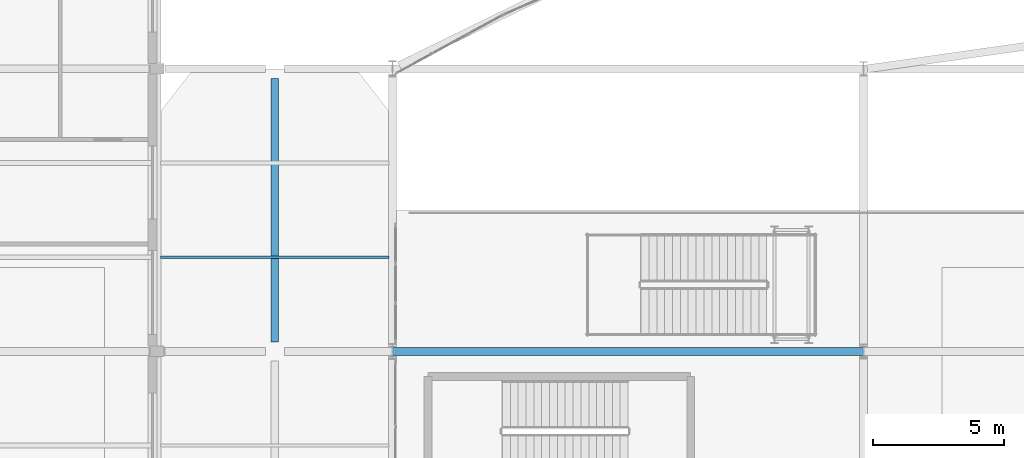
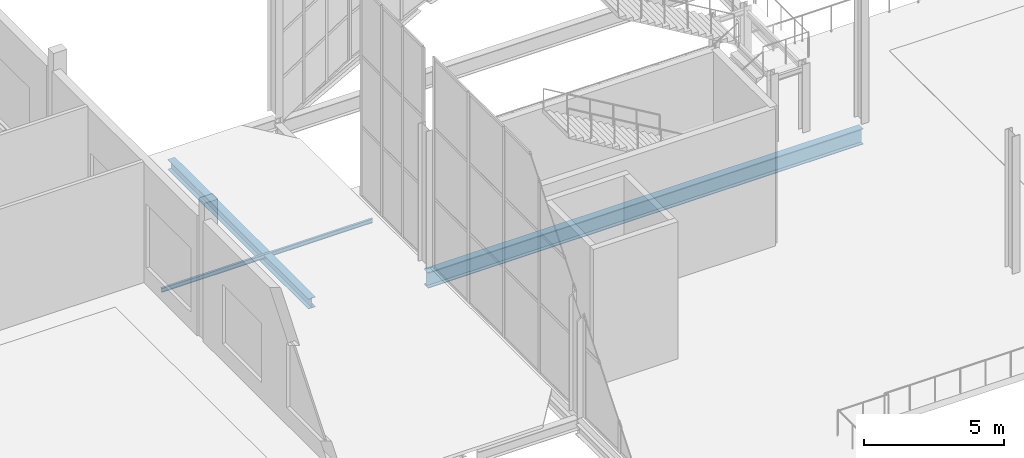
# One storey, part 95 of 191: 3 beams.
"""IFC4 building model written with IfcOpenShell, lengths in metres."""

from ifc_helpers import new_model, si_unit, direction, frame, origin, origin_2d, place, context, subcontext, project, spatial, i_section, extrude, material, material_profile, profile_set, type_object, element, save


model = new_model("IFC4")

# Units and contexts
model_context = context("Model", 3, precision=1e-05, world=origin(), true_north=direction((0.0, 1.0)))
body_context = subcontext(model_context, "Body", "Model", "MODEL_VIEW")
ifc_project = project(units=[si_unit("LENGTHUNIT", "METRE"), si_unit("AREAUNIT", "SQUARE_METRE"), si_unit("VOLUMEUNIT", "CUBIC_METRE"), si_unit("PLANEANGLEUNIT", "RADIAN"), si_unit("MASSUNIT", "GRAM", prefix="KILO")], contexts=[model_context])

# Site, building, storey
site_placement = place(None, origin())
site = spatial("IfcSite", under=ifc_project, at=site_placement, CompositionType="ELEMENT")
building_placement = place(site_placement, origin())
building = spatial("IfcBuilding", under=site, at=building_placement, Name="Tamarisk Ironworks Central Station", CompositionType="ELEMENT")
storey_placement = place(building_placement, frame((0.0, 0.0, 6.60009765625)))
storey = spatial("IfcBuildingStorey", under=building, at=storey_placement, Name="L01", CompositionType="ELEMENT", Elevation=6.60009765625)

# Beams
ifc_material = material(Name="Structural steel S355J2", Category="steel")
ifc_material_profile_1 = material_profile(ifc_material, i_section(OverallWidth=0.300048828125, OverallDepth=0.68994140625, WebThickness=0.014404296875, FlangeThickness=0.027099609375, at=origin_2d()), Name="HEA 700")
ifc_profile_set_1 = profile_set([ifc_material_profile_1], Name="Structural steel S355J2")
beam_type_1 = type_object("IfcBeamType", Name="BM-G01", PredefinedType="BEAM", material=ifc_profile_set_1)
beam_1_placement = place(storey_placement, frame((54.00390625, 100.800048828125, -0.64501953125), z_axis=(1.0, 0.0, 0.0), x_axis=(0.0, 1.0, 0.0)))
element("IfcBeam", 1, at=beam_1_placement, inside=storey, type_object=beam_type_1, Name="L01 primary girder X-0116", PredefinedType="BEAM", context=body_context, shape_type="SweptSolid", body=[
    extrude(i_section(OverallWidth=0.300048828125, OverallDepth=0.68994140625, WebThickness=0.014404296875, FlangeThickness=0.027099609375, at=origin_2d()), origin(), (0.0, 0.0, 1.0), 17.9921875),
])
ifc_material_profile_2 = material_profile(ifc_material, i_section(OverallWidth=0.300048828125, OverallDepth=0.43994140625, WebThickness=0.011474609375, FlangeThickness=0.02099609375, at=origin_2d()), Name="HEA 450")
ifc_profile_set_2 = profile_set([ifc_material_profile_2], Name="Structural steel S355J2")
beam_type_2 = type_object("IfcBeamType", Name="BM-G06", PredefinedType="BEAM", material=ifc_profile_set_2)
beam_2_placement = place(storey_placement, frame((49.5, 101.1630859375, -0.360107421875), z_axis=(0.0, 1.0, 0.0), x_axis=(-1.0, 0.0, 0.0)))
element("IfcBeam", 2, at=beam_2_placement, inside=storey, type_object=beam_type_2, Name="L01 primary girder Y-0206", PredefinedType="BEAM", context=body_context, shape_type="SweptSolid", body=[
    extrude(i_section(OverallWidth=0.300048828125, OverallDepth=0.43994140625, WebThickness=0.011474609375, FlangeThickness=0.02099609375, at=origin_2d()), origin(), (0.0, 0.0, 1.0), 10.073974609375),
])
ifc_material_profile_3 = material_profile(ifc_material, i_section(OverallWidth=0.091064453125, OverallDepth=0.179931640625, WebThickness=0.00537109375, FlangeThickness=0.008056640625, at=origin_2d()), Name="IPE 180")
ifc_profile_set_3 = profile_set([ifc_material_profile_3], Name="Structural steel S355J2")
beam_type_3 = type_object("IfcBeamType", Name="BM-J03", PredefinedType="JOIST", material=ifc_profile_set_3)
beam_3_placement = place(storey_placement, frame((45.135009765625, 104.39990234375, -0.22998046875), z_axis=(1.0, 0.0, 0.0), x_axis=(0.0, 1.0, 0.0)))
element("IfcBeam", 3, at=beam_3_placement, inside=storey, type_object=beam_type_3, Name="Forecourt canopy framing beam 003", PredefinedType="JOIST", context=body_context, shape_type="SweptSolid", body=[
    extrude(i_section(OverallWidth=0.091064453125, OverallDepth=0.179931640625, WebThickness=0.00537109375, FlangeThickness=0.008056640625, at=origin_2d()), origin(), (0.0, 0.0, 1.0), 8.72998046875),
])

save(model, "model.ifc")
